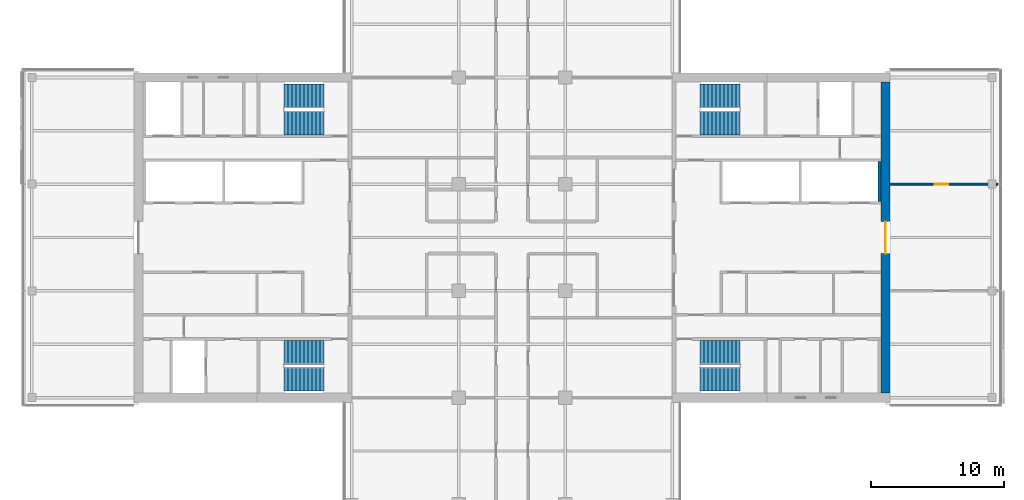
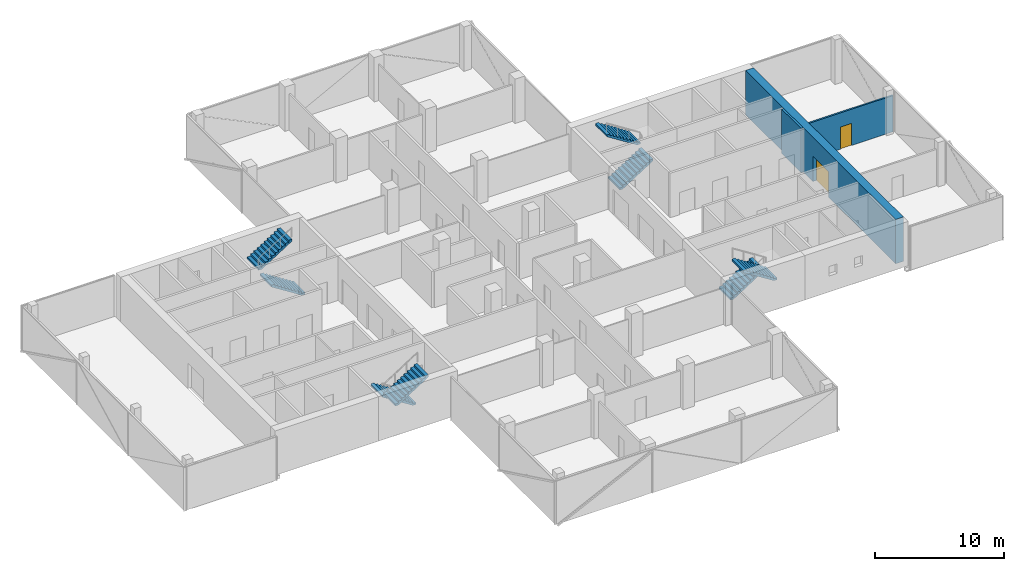
# One storey, part 17 of 22: 8 stair flights, 3 walls, 2 doors, 2 openings, 4 elements without a shape of their own.
"""IFC4 building model written with IfcOpenShell, lengths in metres."""

from ifc_helpers import new_model, si_unit, direction, frame, frame_2d, origin, place, context, subcontext, project, spatial, polyline, rectangle, outline, extrude, material, layer, layer_set, type_object, element, fill, aggregate, save


model = new_model("IFC4")

# Units and contexts
model_context = context("Model", 3, precision=1e-05, world=origin(), true_north=direction((0.0, 1.0)))
body_context = subcontext(model_context, "Body", "Model", "MODEL_VIEW")
ifc_project = project(units=[si_unit("LENGTHUNIT", "METRE"), si_unit("AREAUNIT", "SQUARE_METRE"), si_unit("VOLUMEUNIT", "CUBIC_METRE"), si_unit("PLANEANGLEUNIT", "RADIAN"), si_unit("MASSUNIT", "GRAM", prefix="KILO")], contexts=[model_context])

# Site, building, storey
site_placement = place(None, origin())
site = spatial("IfcSite", under=ifc_project, at=site_placement, CompositionType="ELEMENT")
building_placement = place(site_placement, origin())
building = spatial("IfcBuilding", under=site, at=building_placement, Name="Crosswind Convention Tower", CompositionType="ELEMENT")
storey_placement = place(building_placement, frame((0.0, 0.0, 133.699951171875)))
storey = spatial("IfcBuildingStorey", under=building, at=storey_placement, Name="L27", CompositionType="ELEMENT", Elevation=133.699951171875)

# Wall, opening, door
ifc_material_1 = material(Name="Concrete C60/75", Category="concrete")
ifc_layer_1 = layer(ifc_material_1, 0.699951171875)
ifc_layer_set_1 = layer_set([ifc_layer_1], Name="Concrete C60/75")
wall_type_1 = type_object("IfcWallType", Name="Concrete core wall 700", PredefinedType="SHEAR", material=ifc_layer_set_1)
wall_1_placement = place(storey_placement, frame((153.0, 88.35009765625, 0.0), z_axis=(0.0, 0.0, 1.0), x_axis=(0.0, 1.0, 0.0)))
wall_1 = element("IfcWall", 1, at=wall_1_placement, inside=storey, type_object=wall_type_1, Name="Wall O E L27", PredefinedType="SHEAR", context=body_context, shape_type="SweptSolid", body=[
    extrude(rectangle(XDim=23.2998046875, YDim=0.699951171875, at=frame_2d((11.64990234375, 0.0))), origin(), (0.0, 0.0, 1.0), 4.199951171875),
])
opening_1_placement = place(wall_1_placement, frame((10.449951171875, 0.0, 0.0)))
opening_1 = element("IfcOpeningElement", 2, at=opening_1_placement, cuts=wall_1, Name="Opening D100", PredefinedType="OPENING", context=body_context, shape_type="SweptSolid", body=[
    extrude(rectangle(XDim=2.39990234375, YDim=2.39990234375, at=frame_2d((1.199951171875, 1.199951171875))), frame((0.0, 0.35986328125, 0.0), z_axis=(0.0, -1.0, 0.0), x_axis=(1.0, 0.0, 0.0)), (0.0, 0.0, 1.0), 0.719970703125),
])
ifc_material_2 = material(Name="Steel fire door with glazed vision panels", Category="steel")
door_type_1 = type_object("IfcDoorType", Name="Fire-rated double door 2400x2400", OperationType="DOUBLE_DOOR_SINGLE_SWING", PredefinedType="DOOR", material=ifc_material_2)
door_1_placement = place(opening_1_placement, origin())
door_1 = element("IfcDoor", 3, at=door_1_placement, inside=storey, type_object=door_type_1, Name="Lobby outer door L27", ObjectType="D100", OperationType="DOUBLE_DOOR_SINGLE_SWING", OverallHeight=2.39990234375, OverallWidth=2.39990234375, PredefinedType="DOOR", context=body_context, shape_type="SweptSolid", body=[
    extrude(rectangle(XDim=2.39990234375, YDim=2.39990234375, at=frame_2d((1.199951171875, 1.199951171875))), frame((0.0, 0.02490234375, 0.0), z_axis=(0.0, -1.0, 0.0), x_axis=(1.0, 0.0, 0.0)), (0.0, 0.0, 1.0), 0.050048828125),
])
fill(opening_1, door_1)

# Wall
ifc_material_3 = material(Name="Concrete C50/60", Category="concrete")
ifc_layer_2 = layer(ifc_material_3, 0.199951171875)
ifc_layer_set_2 = layer_set([ifc_layer_2], Name="Concrete C50/60")
wall_type_2 = type_object("IfcWallType", Name="Concrete shaft and stair wall 200", PredefinedType="SHEAR", material=ifc_layer_set_2)
wall_2_placement = place(storey_placement, frame((152.550048828125, 102.699951171875, 0.0), z_axis=(0.0, 0.0, 1.0), x_axis=(0.0, 1.0, 0.0)))
element("IfcWall", 4, at=wall_2_placement, inside=storey, type_object=wall_type_2, Name="Wall RPEAST E L27", PredefinedType="SHEAR", context=body_context, shape_type="SweptSolid", body=[
    extrude(rectangle(XDim=3.0, YDim=0.199951171875, at=frame_2d((1.5, 0.0))), origin(), (0.0, 0.0, 1.0), 4.199951171875),
])

# Wall, opening, door
ifc_material_4 = material(Name="Fire-board partition with mineral wool", Category="gypsum")
ifc_layer_3 = layer(ifc_material_4, 0.14990234375)
ifc_layer_set_3 = layer_set([ifc_layer_3], Name="TENANCY WALL 150 TWO-HOUR BOARD")
wall_type_3 = type_object("IfcWallType", Name="TENANCY WALL 150 TWO-HOUR BOARD", PredefinedType="PARTITIONING", material=ifc_layer_set_3)
wall_3_placement = place(storey_placement, frame((153.35009765625, 104.0, 0.0), z_axis=(0.0, 0.0, 1.0), x_axis=(1.0, 0.0, 0.0)))
wall_3 = element("IfcWall", 5, at=wall_3_placement, inside=storey, type_object=wall_type_3, Name="Tenancy wall WT41", PredefinedType="PARTITIONING", context=body_context, shape_type="SweptSolid", body=[
    extrude(rectangle(XDim=8.06982421875, YDim=0.14990234375, at=frame_2d((4.034912109375, 0.0))), origin(), (0.0, 0.0, 1.0), 3.4365234375),
])
opening_2_placement = place(wall_3_placement, frame((3.35009765625, 0.0, 0.0)))
opening_2 = element("IfcOpeningElement", 6, at=opening_2_placement, cuts=wall_3, Name="Opening L27-68", PredefinedType="OPENING", context=body_context, shape_type="SweptSolid", body=[
    extrude(rectangle(XDim=1.0, YDim=2.10009765625, at=frame_2d((0.5, 1.050048828125))), frame((0.0, 0.0849609375, 0.0), z_axis=(0.0, -1.0, 0.0), x_axis=(1.0, 0.0, 0.0)), (0.0, 0.0, 1.0), 0.169921875),
])
ifc_material_5 = material(Name="Timber fire door", Category="wood")
door_type_2 = type_object("IfcDoorType", Name="TENANCY ENTRANCE DOOR 1000X2100 FD30S", OperationType="NOTDEFINED", PredefinedType="DOOR", material=ifc_material_5)
door_2_placement = place(opening_2_placement, origin())
door_2 = element("IfcDoor", 7, at=door_2_placement, inside=storey, type_object=door_type_2, Name="Door L27-68", ObjectType="D41", OperationType="SINGLE_SWING_RIGHT", OverallHeight=2.10009765625, OverallWidth=1.0, PredefinedType="DOOR", context=body_context, shape_type="SweptSolid", body=[
    extrude(rectangle(XDim=1.0, YDim=2.10009765625, at=frame_2d((0.5, 1.050048828125))), frame((0.0, 0.02490234375, 0.0), z_axis=(0.0, -1.0, 0.0), x_axis=(1.0, 0.0, 0.0)), (0.0, 0.0, 1.0), 0.050048828125),
])
fill(opening_2, door_2)

# Stair, stair flights
ifc_material_6 = material(Name="Concrete C40/50", Category="concrete")
stair_type = type_object("IfcStairType", Name="Exit stair 1800 wide, 2 flights of 11 risers", PredefinedType="HALF_TURN_STAIR", material=ifc_material_6)
stair_1_placement = place(storey_placement, origin())
stair_1 = element("IfcStair", 8, at=stair_1_placement, inside=storey, type_object=stair_type, Name="Exit stair ST1 L27", ObjectType="ST5", PredefinedType="HALF_TURN_STAIR")
stair_flight_type = type_object("IfcStairFlightType", Name="Stair flight 1800 wide, 11 risers (SF4)", PredefinedType="STRAIGHT", material=ifc_material_6)
stair_flight_1_placement = place(storey_placement, frame((139.10009765625, 108.60009765625, 0.0), z_axis=(0.0, 0.0, 1.0), x_axis=(1.0, 0.0, 0.0)))
stair_flight_1 = element("IfcStairFlight", 9, at=stair_flight_1_placement, type_object=stair_flight_type, Name="ST1 flight 1", NumberOfRisers=11, NumberOfTreads=10, PredefinedType="STRAIGHT", RiserHeight=0.190909091, TreadLength=0.3, context=body_context, shape_type="SweptSolid", body=[
    extrude(outline(polyline([(0.0, 0.0), (0.0, 0.19091796875), (0.300048828125, 0.19091796875), (0.300048828125, 0.3818359375), (0.60009765625, 0.3818359375), (0.60009765625, 0.57275390625), (0.89990234375, 0.57275390625), (0.89990234375, 0.763671875), (1.199951171875, 0.763671875), (1.199951171875, 0.95458984375), (1.5, 0.95458984375), (1.5, 1.1455078125), (1.800048828125, 1.1455078125), (1.800048828125, 1.33642578125), (2.10009765625, 1.33642578125), (2.10009765625, 1.52734375), (2.39990234375, 1.52734375), (2.39990234375, 1.71826171875), (2.699951171875, 1.71826171875), (2.699951171875, 1.9091796875), (3.0, 1.9091796875), (3.0, 2.10009765625), (3.0, 1.7314453125), (0.279296875, 0.0), (0.0, 0.0)])), frame((0.0, 0.89990234375, 0.0), z_axis=(0.0, -1.0, 0.0), x_axis=(1.0, 0.0, 0.0)), (0.0, 0.0, 1.0), 1.800048828125),
])
stair_flight_2_placement = place(storey_placement, frame((142.10009765625, 110.60009765625, 2.10009765625), z_axis=(0.0, 0.0, 1.0), x_axis=(-1.0, 0.0, 0.0)))
stair_flight_2 = element("IfcStairFlight", 10, at=stair_flight_2_placement, type_object=stair_flight_type, Name="ST1 flight 2", NumberOfRisers=11, NumberOfTreads=10, PredefinedType="STRAIGHT", RiserHeight=0.190909091, TreadLength=0.3, context=body_context, shape_type="SweptSolid", body=[
    extrude(outline(polyline([(0.0, 0.0), (0.0, 0.19091796875), (0.300048828125, 0.19091796875), (0.300048828125, 0.3818359375), (0.60009765625, 0.3818359375), (0.60009765625, 0.57275390625), (0.89990234375, 0.57275390625), (0.89990234375, 0.763671875), (1.199951171875, 0.763671875), (1.199951171875, 0.95458984375), (1.5, 0.95458984375), (1.5, 1.1455078125), (1.800048828125, 1.1455078125), (1.800048828125, 1.33642578125), (2.10009765625, 1.33642578125), (2.10009765625, 1.52734375), (2.39990234375, 1.52734375), (2.39990234375, 1.71826171875), (2.699951171875, 1.71826171875), (2.699951171875, 1.9091796875), (3.0, 1.9091796875), (3.0, 2.10009765625), (3.0, 1.7314453125), (0.279296875, 0.0), (0.0, 0.0)])), frame((0.0, 0.89990234375, 0.0), z_axis=(0.0, -1.0, 0.0), x_axis=(1.0, 0.0, 0.0)), (0.0, 0.0, 1.0), 1.800048828125),
])
aggregate(stair_1, [stair_flight_1, stair_flight_2])

stair_2_placement = place(storey_placement, origin())
stair_2 = element("IfcStair", 11, at=stair_2_placement, inside=storey, type_object=stair_type, Name="Exit stair ST2 L27", ObjectType="ST5", PredefinedType="HALF_TURN_STAIR")
stair_flight_3_placement = place(storey_placement, frame((139.10009765625, 91.39990234375, 0.0), z_axis=(0.0, 0.0, 1.0), x_axis=(1.0, 0.0, 0.0)))
stair_flight_3 = element("IfcStairFlight", 12, at=stair_flight_3_placement, type_object=stair_flight_type, Name="ST2 flight 1", NumberOfRisers=11, NumberOfTreads=10, PredefinedType="STRAIGHT", RiserHeight=0.190909091, TreadLength=0.3, context=body_context, shape_type="SweptSolid", body=[
    extrude(outline(polyline([(0.0, 0.0), (0.0, 0.19091796875), (0.300048828125, 0.19091796875), (0.300048828125, 0.3818359375), (0.60009765625, 0.3818359375), (0.60009765625, 0.57275390625), (0.89990234375, 0.57275390625), (0.89990234375, 0.763671875), (1.199951171875, 0.763671875), (1.199951171875, 0.95458984375), (1.5, 0.95458984375), (1.5, 1.1455078125), (1.800048828125, 1.1455078125), (1.800048828125, 1.33642578125), (2.10009765625, 1.33642578125), (2.10009765625, 1.52734375), (2.39990234375, 1.52734375), (2.39990234375, 1.71826171875), (2.699951171875, 1.71826171875), (2.699951171875, 1.9091796875), (3.0, 1.9091796875), (3.0, 2.10009765625), (3.0, 1.7314453125), (0.279296875, 0.0), (0.0, 0.0)])), frame((0.0, 0.89990234375, 0.0), z_axis=(0.0, -1.0, 0.0), x_axis=(1.0, 0.0, 0.0)), (0.0, 0.0, 1.0), 1.800048828125),
])
stair_flight_4_placement = place(storey_placement, frame((142.10009765625, 89.39990234375, 2.10009765625), z_axis=(0.0, 0.0, 1.0), x_axis=(-1.0, 0.0, 0.0)))
stair_flight_4 = element("IfcStairFlight", 13, at=stair_flight_4_placement, type_object=stair_flight_type, Name="ST2 flight 2", NumberOfRisers=11, NumberOfTreads=10, PredefinedType="STRAIGHT", RiserHeight=0.190909091, TreadLength=0.3, context=body_context, shape_type="SweptSolid", body=[
    extrude(outline(polyline([(0.0, 0.0), (0.0, 0.19091796875), (0.300048828125, 0.19091796875), (0.300048828125, 0.3818359375), (0.60009765625, 0.3818359375), (0.60009765625, 0.57275390625), (0.89990234375, 0.57275390625), (0.89990234375, 0.763671875), (1.199951171875, 0.763671875), (1.199951171875, 0.95458984375), (1.5, 0.95458984375), (1.5, 1.1455078125), (1.800048828125, 1.1455078125), (1.800048828125, 1.33642578125), (2.10009765625, 1.33642578125), (2.10009765625, 1.52734375), (2.39990234375, 1.52734375), (2.39990234375, 1.71826171875), (2.699951171875, 1.71826171875), (2.699951171875, 1.9091796875), (3.0, 1.9091796875), (3.0, 2.10009765625), (3.0, 1.7314453125), (0.279296875, 0.0), (0.0, 0.0)])), frame((0.0, 0.89990234375, 0.0), z_axis=(0.0, -1.0, 0.0), x_axis=(1.0, 0.0, 0.0)), (0.0, 0.0, 1.0), 1.800048828125),
])
aggregate(stair_2, [stair_flight_3, stair_flight_4])

stair_3_placement = place(storey_placement, origin())
stair_3 = element("IfcStair", 14, at=stair_3_placement, inside=storey, type_object=stair_type, Name="Exit stair ST3 L27", ObjectType="ST5", PredefinedType="HALF_TURN_STAIR")
stair_flight_5_placement = place(storey_placement, frame((110.89990234375, 91.39990234375, 0.0), z_axis=(0.0, 0.0, 1.0), x_axis=(-1.0, 0.0, 0.0)))
stair_flight_5 = element("IfcStairFlight", 15, at=stair_flight_5_placement, type_object=stair_flight_type, Name="ST3 flight 1", NumberOfRisers=11, NumberOfTreads=10, PredefinedType="STRAIGHT", RiserHeight=0.190909091, TreadLength=0.3, context=body_context, shape_type="SweptSolid", body=[
    extrude(outline(polyline([(0.0, 0.0), (0.0, 0.19091796875), (0.300048828125, 0.19091796875), (0.300048828125, 0.3818359375), (0.60009765625, 0.3818359375), (0.60009765625, 0.57275390625), (0.89990234375, 0.57275390625), (0.89990234375, 0.763671875), (1.199951171875, 0.763671875), (1.199951171875, 0.95458984375), (1.5, 0.95458984375), (1.5, 1.1455078125), (1.800048828125, 1.1455078125), (1.800048828125, 1.33642578125), (2.10009765625, 1.33642578125), (2.10009765625, 1.52734375), (2.39990234375, 1.52734375), (2.39990234375, 1.71826171875), (2.699951171875, 1.71826171875), (2.699951171875, 1.9091796875), (3.0, 1.9091796875), (3.0, 2.10009765625), (3.0, 1.7314453125), (0.279296875, 0.0), (0.0, 0.0)])), frame((0.0, 0.89990234375, 0.0), z_axis=(0.0, -1.0, 0.0), x_axis=(1.0, 0.0, 0.0)), (0.0, 0.0, 1.0), 1.800048828125),
])
stair_flight_6_placement = place(storey_placement, frame((107.89990234375, 89.39990234375, 2.10009765625), z_axis=(0.0, 0.0, 1.0), x_axis=(1.0, 0.0, 0.0)))
stair_flight_6 = element("IfcStairFlight", 16, at=stair_flight_6_placement, type_object=stair_flight_type, Name="ST3 flight 2", NumberOfRisers=11, NumberOfTreads=10, PredefinedType="STRAIGHT", RiserHeight=0.190909091, TreadLength=0.3, context=body_context, shape_type="SweptSolid", body=[
    extrude(outline(polyline([(0.0, 0.0), (0.0, 0.19091796875), (0.300048828125, 0.19091796875), (0.300048828125, 0.3818359375), (0.60009765625, 0.3818359375), (0.60009765625, 0.57275390625), (0.89990234375, 0.57275390625), (0.89990234375, 0.763671875), (1.199951171875, 0.763671875), (1.199951171875, 0.95458984375), (1.5, 0.95458984375), (1.5, 1.1455078125), (1.800048828125, 1.1455078125), (1.800048828125, 1.33642578125), (2.10009765625, 1.33642578125), (2.10009765625, 1.52734375), (2.39990234375, 1.52734375), (2.39990234375, 1.71826171875), (2.699951171875, 1.71826171875), (2.699951171875, 1.9091796875), (3.0, 1.9091796875), (3.0, 2.10009765625), (3.0, 1.7314453125), (0.279296875, 0.0), (0.0, 0.0)])), frame((0.0, 0.89990234375, 0.0), z_axis=(0.0, -1.0, 0.0), x_axis=(1.0, 0.0, 0.0)), (0.0, 0.0, 1.0), 1.800048828125),
])
aggregate(stair_3, [stair_flight_5, stair_flight_6])

stair_4_placement = place(storey_placement, origin())
stair_4 = element("IfcStair", 17, at=stair_4_placement, inside=storey, type_object=stair_type, Name="Exit stair ST4 L27", ObjectType="ST5", PredefinedType="HALF_TURN_STAIR")
stair_flight_7_placement = place(storey_placement, frame((110.89990234375, 108.60009765625, 0.0), z_axis=(0.0, 0.0, 1.0), x_axis=(-1.0, 0.0, 0.0)))
stair_flight_7 = element("IfcStairFlight", 18, at=stair_flight_7_placement, type_object=stair_flight_type, Name="ST4 flight 1", NumberOfRisers=11, NumberOfTreads=10, PredefinedType="STRAIGHT", RiserHeight=0.190909091, TreadLength=0.3, context=body_context, shape_type="SweptSolid", body=[
    extrude(outline(polyline([(0.0, 0.0), (0.0, 0.19091796875), (0.300048828125, 0.19091796875), (0.300048828125, 0.3818359375), (0.60009765625, 0.3818359375), (0.60009765625, 0.57275390625), (0.89990234375, 0.57275390625), (0.89990234375, 0.763671875), (1.199951171875, 0.763671875), (1.199951171875, 0.95458984375), (1.5, 0.95458984375), (1.5, 1.1455078125), (1.800048828125, 1.1455078125), (1.800048828125, 1.33642578125), (2.10009765625, 1.33642578125), (2.10009765625, 1.52734375), (2.39990234375, 1.52734375), (2.39990234375, 1.71826171875), (2.699951171875, 1.71826171875), (2.699951171875, 1.9091796875), (3.0, 1.9091796875), (3.0, 2.10009765625), (3.0, 1.7314453125), (0.279296875, 0.0), (0.0, 0.0)])), frame((0.0, 0.89990234375, 0.0), z_axis=(0.0, -1.0, 0.0), x_axis=(1.0, 0.0, 0.0)), (0.0, 0.0, 1.0), 1.800048828125),
])
stair_flight_8_placement = place(storey_placement, frame((107.89990234375, 110.60009765625, 2.10009765625), z_axis=(0.0, 0.0, 1.0), x_axis=(1.0, 0.0, 0.0)))
stair_flight_8 = element("IfcStairFlight", 19, at=stair_flight_8_placement, type_object=stair_flight_type, Name="ST4 flight 2", NumberOfRisers=11, NumberOfTreads=10, PredefinedType="STRAIGHT", RiserHeight=0.190909091, TreadLength=0.3, context=body_context, shape_type="SweptSolid", body=[
    extrude(outline(polyline([(0.0, 0.0), (0.0, 0.19091796875), (0.300048828125, 0.19091796875), (0.300048828125, 0.3818359375), (0.60009765625, 0.3818359375), (0.60009765625, 0.57275390625), (0.89990234375, 0.57275390625), (0.89990234375, 0.763671875), (1.199951171875, 0.763671875), (1.199951171875, 0.95458984375), (1.5, 0.95458984375), (1.5, 1.1455078125), (1.800048828125, 1.1455078125), (1.800048828125, 1.33642578125), (2.10009765625, 1.33642578125), (2.10009765625, 1.52734375), (2.39990234375, 1.52734375), (2.39990234375, 1.71826171875), (2.699951171875, 1.71826171875), (2.699951171875, 1.9091796875), (3.0, 1.9091796875), (3.0, 2.10009765625), (3.0, 1.7314453125), (0.279296875, 0.0), (0.0, 0.0)])), frame((0.0, 0.89990234375, 0.0), z_axis=(0.0, -1.0, 0.0), x_axis=(1.0, 0.0, 0.0)), (0.0, 0.0, 1.0), 1.800048828125),
])
aggregate(stair_4, [stair_flight_7, stair_flight_8])

save(model, "model.ifc")
